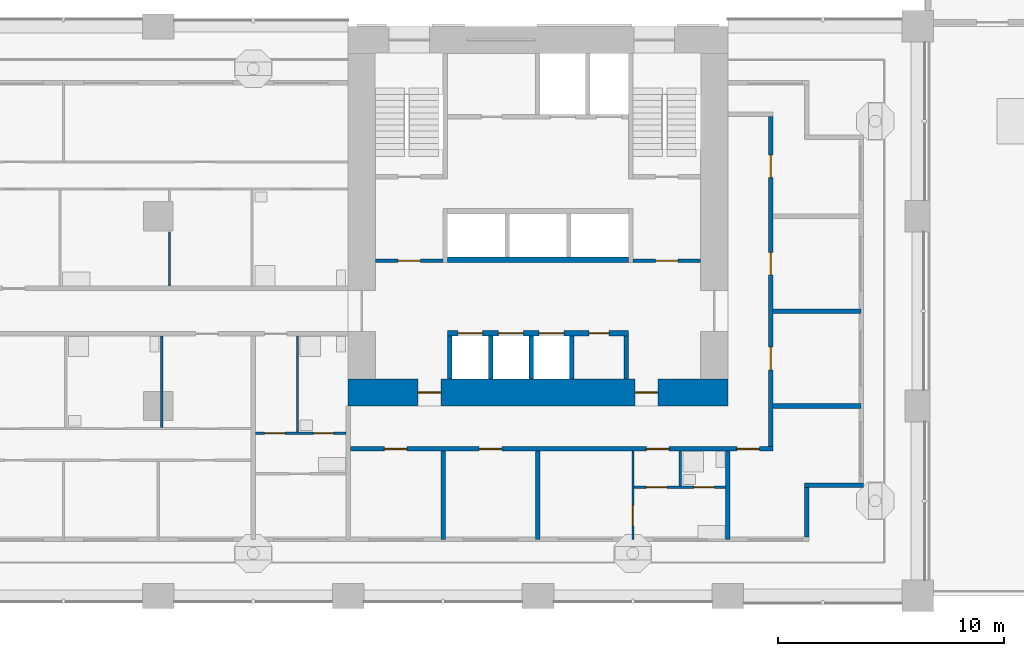
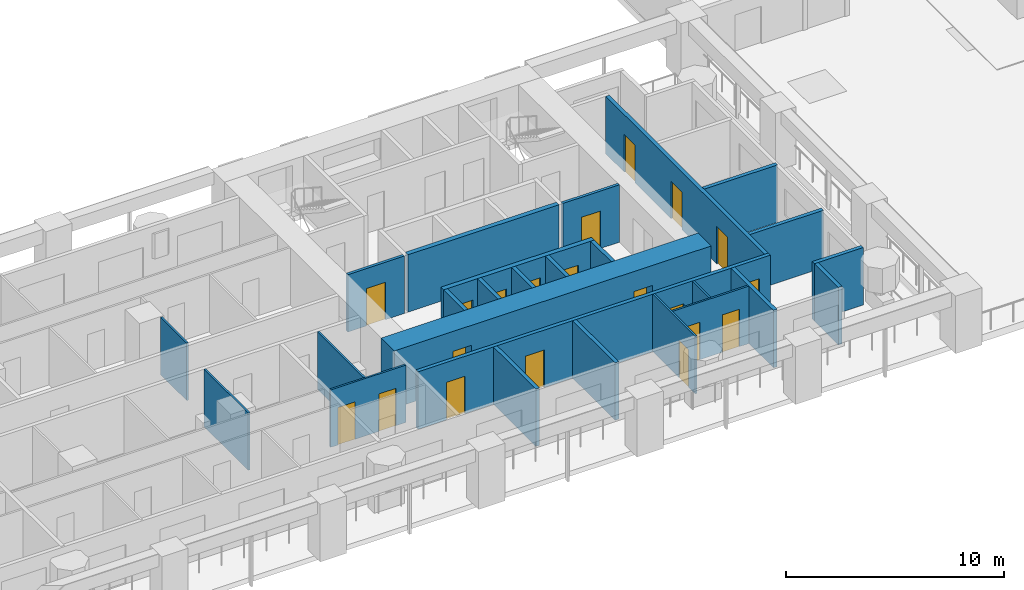
# One storey, part 6 of 23: 26 walls, 20 doors, 20 openings.
"""IFC4 building model written with IfcOpenShell, lengths in metres."""

from ifc_helpers import new_model, si_unit, direction, frame, frame_2d, origin, place, context, subcontext, project, spatial, rectangle, extrude, material, layer, layer_set, type_object, element, fill, save


model = new_model("IFC4")

# Units and contexts
model_context = context("Model", 3, precision=1e-05, world=origin(), true_north=direction((0.0, 1.0)))
body_context = subcontext(model_context, "Body", "Model", "MODEL_VIEW")
ifc_project = project(units=[si_unit("LENGTHUNIT", "METRE"), si_unit("AREAUNIT", "SQUARE_METRE"), si_unit("VOLUMEUNIT", "CUBIC_METRE"), si_unit("PLANEANGLEUNIT", "RADIAN"), si_unit("MASSUNIT", "GRAM", prefix="KILO")], contexts=[model_context])

# Site, building, storey
site_placement = place(None, origin())
site = spatial("IfcSite", under=ifc_project, at=site_placement, CompositionType="ELEMENT")
building_placement = place(site_placement, origin())
building = spatial("IfcBuilding", under=site, at=building_placement, Name="Vermilion Gate Residences", CompositionType="ELEMENT")
storey_placement = place(building_placement, frame((0.0, 0.0, 25.199951171875)))
storey = spatial("IfcBuildingStorey", under=building, at=storey_placement, Name="L04", CompositionType="ELEMENT", Elevation=25.199951171875)

# Wall, opening, door
ifc_material_1 = material(Name="Masonry blockwork", Category="masonry")
ifc_layer_1 = layer(ifc_material_1, 0.14990234375)
ifc_layer_set_1 = layer_set([ifc_layer_1], Name="BLOCKWORK PARTITION 150 EI 120")
wall_type_1 = type_object("IfcWallType", Name="BLOCKWORK PARTITION 150 EI 120", PredefinedType="PARTITIONING", material=ifc_layer_set_1)
wall_1_placement = place(storey_placement, frame((43.199951171875, 14.824951171875, 0.0), z_axis=(0.0, 0.0, 1.0), x_axis=(1.0, 0.0, 0.0)))
wall_1 = element("IfcWall", 1, at=wall_1_placement, inside=storey, type_object=wall_type_1, Name="Core room partition A04-VW-S", PredefinedType="PARTITIONING", context=body_context, shape_type="SweptSolid", body=[
    extrude(rectangle(XDim=3.0, YDim=0.14990234375, at=frame_2d((1.5, 0.0))), origin(), (0.0, 0.0, 1.0), 3.219970703125),
])
opening_1_placement = place(wall_1_placement, frame((1.0, 0.0, 0.0)))
opening_1 = element("IfcOpeningElement", 2, at=opening_1_placement, cuts=wall_1, Name="Opening DK04012", PredefinedType="OPENING", context=body_context, shape_type="SweptSolid", body=[
    extrude(rectangle(XDim=1.0, YDim=2.10009765625, at=frame_2d((0.5, 1.050048828125))), frame((0.0, 0.0849609375, 0.0), z_axis=(0.0, -1.0, 0.0), x_axis=(1.0, 0.0, 0.0)), (0.0, 0.0, 1.0), 0.169921875),
])
ifc_material_2 = material(Name="Steel", Category="steel")
door_type_1 = type_object("IfcDoorType", Name="FIRE DOOR FD60 1000 X 2100", OperationType="SINGLE_SWING_LEFT", PredefinedType="DOOR", material=ifc_material_2)
door_1_placement = place(opening_1_placement, frame((1.0, 0.0, 0.0), z_axis=(0.0, 0.0, 1.0), x_axis=(-1.0, 0.0, 0.0)))
door_1 = element("IfcDoor", 3, at=door_1_placement, inside=storey, type_object=door_type_1, Name="Stair vestibule door A04", OperationType="SINGLE_SWING_RIGHT", OverallHeight=2.10009765625, OverallWidth=1.0, PredefinedType="DOOR", context=body_context, shape_type="SweptSolid", body=[
    extrude(rectangle(XDim=1.0, YDim=2.10009765625, at=frame_2d((0.5, 1.050048828125))), frame((0.0, 0.02490234375, 0.0), z_axis=(0.0, -1.0, 0.0), x_axis=(1.0, 0.0, 0.0)), (0.0, 0.0, 1.0), 0.050048828125),
])
fill(opening_1, door_1)

wall_2_placement = place(storey_placement, frame((54.60009765625, 14.824951171875, 0.0), z_axis=(0.0, 0.0, 1.0), x_axis=(1.0, 0.0, 0.0)))
wall_2 = element("IfcWall", 4, at=wall_2_placement, inside=storey, type_object=wall_type_1, Name="Core room partition A04-VE-S", PredefinedType="PARTITIONING", context=body_context, shape_type="SweptSolid", body=[
    extrude(rectangle(XDim=3.0, YDim=0.14990234375, at=frame_2d((1.5, 0.0))), origin(), (0.0, 0.0, 1.0), 3.219970703125),
])
opening_2_placement = place(wall_2_placement, frame((1.0, 0.0, 0.0)))
opening_2 = element("IfcOpeningElement", 5, at=opening_2_placement, cuts=wall_2, Name="Opening DK04014", PredefinedType="OPENING", context=body_context, shape_type="SweptSolid", body=[
    extrude(rectangle(XDim=1.0, YDim=2.10009765625, at=frame_2d((0.5, 1.050048828125))), frame((0.0, 0.0849609375, 0.0), z_axis=(0.0, -1.0, 0.0), x_axis=(1.0, 0.0, 0.0)), (0.0, 0.0, 1.0), 0.169921875),
])
door_2_placement = place(opening_2_placement, frame((1.0, 0.0, 0.0), z_axis=(0.0, 0.0, 1.0), x_axis=(-1.0, 0.0, 0.0)))
door_2 = element("IfcDoor", 6, at=door_2_placement, inside=storey, type_object=door_type_1, Name="Stair vestibule door A04", OperationType="SINGLE_SWING_LEFT", OverallHeight=2.10009765625, OverallWidth=1.0, PredefinedType="DOOR", context=body_context, shape_type="SweptSolid", body=[
    extrude(rectangle(XDim=1.0, YDim=2.10009765625, at=frame_2d((0.5, 1.050048828125))), frame((0.0, 0.02490234375, 0.0), z_axis=(0.0, -1.0, 0.0), x_axis=(1.0, 0.0, 0.0)), (0.0, 0.0, 1.0), 0.050048828125),
])
fill(opening_2, door_2)

# Walls
ifc_material_3 = material(Name="Insulated steel stud wall with terracotta rainscreen", Category="masonry")
ifc_layer_2 = layer(ifc_material_3, 0.199951171875)
ifc_layer_set_2 = layer_set([ifc_layer_2], Name="EXTERNAL WALL 200 TERRACOTTA RAINSCREEN")
wall_type_2 = type_object("IfcWallType", Name="EXTERNAL WALL 200 TERRACOTTA RAINSCREEN", PredefinedType="SOLIDWALL", material=ifc_layer_set_2)
wall_3_placement = place(storey_placement, frame((62.300048828125, 2.60009765625, 0.0), z_axis=(0.0, 0.0, 1.0), x_axis=(0.0, 1.0, 0.0)))
element("IfcWall", 7, at=wall_3_placement, inside=storey, type_object=wall_type_2, Name="External wall", PredefinedType="SOLIDWALL", context=body_context, shape_type="SweptSolid", body=[
    extrude(rectangle(XDim=2.199951171875, YDim=0.199951171875, at=frame_2d((1.10009765625, 0.0))), origin(), (0.0, 0.0, 1.0), 3.219970703125),
])
wall_4_placement = place(storey_placement, frame((62.199951171875, 4.89990234375, 0.0), z_axis=(0.0, 0.0, 1.0), x_axis=(1.0, 0.0, 0.0)))
element("IfcWall", 8, at=wall_4_placement, inside=storey, type_object=wall_type_2, Name="External wall", PredefinedType="SOLIDWALL", context=body_context, shape_type="SweptSolid", body=[
    extrude(rectangle(XDim=2.60009765625, YDim=0.199951171875, at=frame_2d((1.300048828125, 0.0))), origin(), (0.0, 0.0, 1.0), 3.219970703125),
])

# Wall, openings, doors
ifc_material_4 = material(Name="Plasterboard on steel studs", Category="steel")
ifc_layer_3 = layer(ifc_material_4, 0.10009765625)
ifc_layer_set_3 = layer_set([ifc_layer_3], Name="PARTITION 100")
wall_type_3 = type_object("IfcWallType", Name="PARTITION 100", PredefinedType="PARTITIONING", material=ifc_layer_set_3)
wall_5_placement = place(storey_placement, frame((54.64990234375, 4.800048828125, 0.0), z_axis=(0.0, 0.0, 1.0), x_axis=(1.0, 0.0, 0.0)))
wall_5 = element("IfcWall", 9, at=wall_5_placement, inside=storey, type_object=wall_type_3, Name="Partition", PredefinedType="PARTITIONING", context=body_context, shape_type="SweptSolid", body=[
    extrude(rectangle(XDim=4.050048828125, YDim=0.10009765625, at=frame_2d((2.02490234375, 0.0))), origin(), (0.0, 0.0, 1.0), 3.219970703125),
])
opening_3_placement = place(wall_5_placement, frame((0.550048828125, 0.0, 0.0)))
opening_3 = element("IfcOpeningElement", 10, at=opening_3_placement, cuts=wall_5, Name="Opening DA04001", PredefinedType="OPENING", context=body_context, shape_type="SweptSolid", body=[
    extrude(rectangle(XDim=0.89990234375, YDim=2.10009765625, at=frame_2d((0.449951171875, 1.050048828125))), frame((0.0, 0.06005859375, 0.0), z_axis=(0.0, -1.0, 0.0), x_axis=(1.0, 0.0, 0.0)), (0.0, 0.0, 1.0), 0.1201171875),
])
opening_4_placement = place(wall_5_placement, frame((2.64990234375, 0.0, 0.0)))
opening_4 = element("IfcOpeningElement", 11, at=opening_4_placement, cuts=wall_5, Name="Opening DA04002", PredefinedType="OPENING", context=body_context, shape_type="SweptSolid", body=[
    extrude(rectangle(XDim=0.89990234375, YDim=2.10009765625, at=frame_2d((0.449951171875, 1.050048828125))), frame((0.0, 0.06005859375, 0.0), z_axis=(0.0, -1.0, 0.0), x_axis=(1.0, 0.0, 0.0)), (0.0, 0.0, 1.0), 0.1201171875),
])
ifc_material_5 = material(Name="Timber", Category="wood")
door_type_2 = type_object("IfcDoorType", Name="INTERIOR DOOR 900 X 2100", OperationType="SINGLE_SWING_LEFT", PredefinedType="DOOR", material=ifc_material_5)
door_3_placement = place(opening_3_placement, frame((0.89990234375, 0.0, 0.0), z_axis=(0.0, 0.0, 1.0), x_axis=(-1.0, 0.0, 0.0)))
door_3 = element("IfcDoor", 12, at=door_3_placement, inside=storey, type_object=door_type_2, Name="Interior door", OperationType="SINGLE_SWING_RIGHT", OverallHeight=2.10009765625, OverallWidth=0.89990234375, PredefinedType="DOOR", context=body_context, shape_type="SweptSolid", body=[
    extrude(rectangle(XDim=0.89990234375, YDim=2.10009765625, at=frame_2d((0.449951171875, 1.050048828125))), frame((0.0, 0.02490234375, 0.0), z_axis=(0.0, -1.0, 0.0), x_axis=(1.0, 0.0, 0.0)), (0.0, 0.0, 1.0), 0.050048828125),
])
fill(opening_3, door_3)
door_4_placement = place(opening_4_placement, origin())
door_4 = element("IfcDoor", 13, at=door_4_placement, inside=storey, type_object=door_type_2, Name="Interior door", OperationType="SINGLE_SWING_RIGHT", OverallHeight=2.10009765625, OverallWidth=0.89990234375, PredefinedType="DOOR", context=body_context, shape_type="SweptSolid", body=[
    extrude(rectangle(XDim=0.89990234375, YDim=2.10009765625, at=frame_2d((0.449951171875, 1.050048828125))), frame((0.0, 0.02490234375, 0.0), z_axis=(0.0, -1.0, 0.0), x_axis=(1.0, 0.0, 0.0)), (0.0, 0.0, 1.0), 0.050048828125),
])
fill(opening_4, door_4)

wall_6_placement = place(storey_placement, frame((37.89990234375, 7.199951171875, 0.0), z_axis=(0.0, 0.0, 1.0), x_axis=(1.0, 0.0, 0.0)))
wall_6 = element("IfcWall", 14, at=wall_6_placement, inside=storey, type_object=wall_type_3, Name="Partition", PredefinedType="PARTITIONING", context=body_context, shape_type="SweptSolid", body=[
    extrude(rectangle(XDim=4.0, YDim=0.10009765625, at=frame_2d((2.0, 0.0))), origin(), (0.0, 0.0, 1.0), 3.219970703125),
])
opening_5_placement = place(wall_6_placement, frame((0.39990234375, 0.0, 0.0)))
opening_5 = element("IfcOpeningElement", 15, at=opening_5_placement, cuts=wall_6, Name="Opening DA04013", PredefinedType="OPENING", context=body_context, shape_type="SweptSolid", body=[
    extrude(rectangle(XDim=0.89990234375, YDim=2.10009765625, at=frame_2d((0.449951171875, 1.050048828125))), frame((0.0, 0.06005859375, 0.0), z_axis=(0.0, -1.0, 0.0), x_axis=(1.0, 0.0, 0.0)), (0.0, 0.0, 1.0), 0.1201171875),
])
opening_6_placement = place(wall_6_placement, frame((2.56005859375, 0.0, 0.0)))
opening_6 = element("IfcOpeningElement", 16, at=opening_6_placement, cuts=wall_6, Name="Opening DA04014", PredefinedType="OPENING", context=body_context, shape_type="SweptSolid", body=[
    extrude(rectangle(XDim=0.89990234375, YDim=2.10009765625, at=frame_2d((0.449951171875, 1.050048828125))), frame((0.0, 0.06005859375, 0.0), z_axis=(0.0, -1.0, 0.0), x_axis=(1.0, 0.0, 0.0)), (0.0, 0.0, 1.0), 0.1201171875),
])
door_5_placement = place(opening_5_placement, frame((0.89990234375, 0.0, 0.0), z_axis=(0.0, 0.0, 1.0), x_axis=(-1.0, 0.0, 0.0)))
door_5 = element("IfcDoor", 17, at=door_5_placement, inside=storey, type_object=door_type_2, Name="Interior door", OperationType="SINGLE_SWING_RIGHT", OverallHeight=2.10009765625, OverallWidth=0.89990234375, PredefinedType="DOOR", context=body_context, shape_type="SweptSolid", body=[
    extrude(rectangle(XDim=0.89990234375, YDim=2.10009765625, at=frame_2d((0.449951171875, 1.050048828125))), frame((0.0, 0.02490234375, 0.0), z_axis=(0.0, -1.0, 0.0), x_axis=(1.0, 0.0, 0.0)), (0.0, 0.0, 1.0), 0.050048828125),
])
fill(opening_5, door_5)
door_6_placement = place(opening_6_placement, frame((0.89990234375, 0.0, 0.0), z_axis=(0.0, 0.0, 1.0), x_axis=(-1.0, 0.0, 0.0)))
door_6 = element("IfcDoor", 18, at=door_6_placement, inside=storey, type_object=door_type_2, Name="Interior door", OperationType="SINGLE_SWING_LEFT", OverallHeight=2.10009765625, OverallWidth=0.89990234375, PredefinedType="DOOR", context=body_context, shape_type="SweptSolid", body=[
    extrude(rectangle(XDim=0.89990234375, YDim=2.10009765625, at=frame_2d((0.449951171875, 1.050048828125))), frame((0.0, 0.02490234375, 0.0), z_axis=(0.0, -1.0, 0.0), x_axis=(1.0, 0.0, 0.0)), (0.0, 0.0, 1.0), 0.050048828125),
])
fill(opening_6, door_6)

# Walls
wall_7_placement = place(storey_placement, frame((33.75, 7.449951171875, 0.0), z_axis=(0.0, 0.0, 1.0), x_axis=(0.0, 1.0, 0.0)))
element("IfcWall", 19, at=wall_7_placement, inside=storey, type_object=wall_type_3, Name="Partition", PredefinedType="PARTITIONING", context=body_context, shape_type="SweptSolid", body=[
    extrude(rectangle(XDim=4.050048828125, YDim=0.10009765625, at=frame_2d((2.02490234375, 0.0))), origin(), (0.0, 0.0, 1.0), 3.219970703125),
])
wall_8_placement = place(storey_placement, frame((34.10009765625, 13.699951171875, 0.0), z_axis=(0.0, 0.0, 1.0), x_axis=(0.0, 1.0, 0.0)))
element("IfcWall", 20, at=wall_8_placement, inside=storey, type_object=wall_type_3, Name="Partition", PredefinedType="PARTITIONING", context=body_context, shape_type="SweptSolid", body=[
    extrude(rectangle(XDim=2.400146484375, YDim=0.10009765625, at=frame_2d((1.2001953125, 0.0))), origin(), (0.0, 0.0, 1.0), 3.219970703125),
])
wall_9_placement = place(storey_placement, frame((39.760009765625, 7.25, 0.0), z_axis=(0.0, 0.0, 1.0), x_axis=(0.0, 1.0, 0.0)))
element("IfcWall", 21, at=wall_9_placement, inside=storey, type_object=wall_type_3, Name="Partition", PredefinedType="PARTITIONING", context=body_context, shape_type="SweptSolid", body=[
    extrude(rectangle(XDim=4.25, YDim=0.10009765625, at=frame_2d((2.125, 0.0))), origin(), (0.0, 0.0, 1.0), 3.219970703125),
])

# Wall, opening, door
wall_10_placement = place(storey_placement, frame((54.60009765625, 2.5, 0.0), z_axis=(0.0, 0.0, 1.0), x_axis=(0.0, 1.0, 0.0)))
wall_10 = element("IfcWall", 22, at=wall_10_placement, inside=storey, type_object=wall_type_3, Name="Partition", PredefinedType="PARTITIONING", context=body_context, shape_type="SweptSolid", body=[
    extrude(rectangle(XDim=3.89990234375, YDim=0.10009765625, at=frame_2d((1.949951171875, 0.0))), origin(), (0.0, 0.0, 1.0), 3.219970703125),
])
opening_7_placement = place(wall_10_placement, frame((0.60009765625, 0.0, 0.0)))
opening_7 = element("IfcOpeningElement", 23, at=opening_7_placement, cuts=wall_10, Name="Opening DA04065", PredefinedType="OPENING", context=body_context, shape_type="SweptSolid", body=[
    extrude(rectangle(XDim=0.89990234375, YDim=2.10009765625, at=frame_2d((0.449951171875, 1.050048828125))), frame((0.0, 0.06005859375, 0.0), z_axis=(0.0, -1.0, 0.0), x_axis=(1.0, 0.0, 0.0)), (0.0, 0.0, 1.0), 0.1201171875),
])
door_7_placement = place(opening_7_placement, frame((0.89990234375, 0.0, 0.0), z_axis=(0.0, 0.0, 1.0), x_axis=(-1.0, 0.0, 0.0)))
door_7 = element("IfcDoor", 24, at=door_7_placement, inside=storey, type_object=door_type_2, Name="Interior door", OperationType="SINGLE_SWING_RIGHT", OverallHeight=2.10009765625, OverallWidth=0.89990234375, PredefinedType="DOOR", context=body_context, shape_type="SweptSolid", body=[
    extrude(rectangle(XDim=0.89990234375, YDim=2.10009765625, at=frame_2d((0.449951171875, 1.050048828125))), frame((0.0, 0.02490234375, 0.0), z_axis=(0.0, -1.0, 0.0), x_axis=(1.0, 0.0, 0.0)), (0.0, 0.0, 1.0), 0.050048828125),
])
fill(opening_7, door_7)

# Wall
wall_11_placement = place(storey_placement, frame((56.699951171875, 4.85009765625, 0.0), z_axis=(0.0, 0.0, 1.0), x_axis=(0.0, 1.0, 0.0)))
element("IfcWall", 25, at=wall_11_placement, inside=storey, type_object=wall_type_3, Name="Partition", PredefinedType="PARTITIONING", context=body_context, shape_type="SweptSolid", body=[
    extrude(rectangle(XDim=1.5498046875, YDim=0.10009765625, at=frame_2d((0.77490234375, 0.0))), origin(), (0.0, 0.0, 1.0), 3.219970703125),
])

# Wall, openings, doors
ifc_material_6 = material(Name="Fire-rated plasterboard on steel studs", Category="steel")
ifc_layer_4 = layer(ifc_material_6, 0.199951171875)
ifc_layer_set_4 = layer_set([ifc_layer_4], Name="PARTY WALL 200 EI 120")
wall_type_4 = type_object("IfcWallType", Name="PARTY WALL 200 EI 120", PredefinedType="PARTITIONING", material=ifc_layer_set_4)
wall_12_placement = place(storey_placement, frame((42.10009765625, 6.5, 0.0), z_axis=(0.0, 0.0, 1.0), x_axis=(1.0, 0.0, 0.0)))
wall_12 = element("IfcWall", 26, at=wall_12_placement, inside=storey, type_object=wall_type_4, Name="Party and corridor wall", PredefinedType="PARTITIONING", context=body_context, shape_type="SweptSolid", body=[
    extrude(rectangle(XDim=18.699951171875, YDim=0.199951171875, at=frame_2d((9.35009765625, 0.0))), origin(), (0.0, 0.0, 1.0), 3.219970703125),
])
opening_8_placement = place(wall_12_placement, frame((1.5, 0.0, 0.0)))
opening_8 = element("IfcOpeningElement", 27, at=opening_8_placement, cuts=wall_12, Name="Opening DA04009", PredefinedType="OPENING", context=body_context, shape_type="SweptSolid", body=[
    extrude(rectangle(XDim=1.0, YDim=2.10009765625, at=frame_2d((0.5, 1.050048828125))), frame((0.0, 0.10986328125, 0.0), z_axis=(0.0, -1.0, 0.0), x_axis=(1.0, 0.0, 0.0)), (0.0, 0.0, 1.0), 0.219970703125),
])
opening_9_placement = place(wall_12_placement, frame((5.699951171875, 0.0, 0.0)))
opening_9 = element("IfcOpeningElement", 28, at=opening_9_placement, cuts=wall_12, Name="Opening DA04010", PredefinedType="OPENING", context=body_context, shape_type="SweptSolid", body=[
    extrude(rectangle(XDim=1.0, YDim=2.10009765625, at=frame_2d((0.5, 1.050048828125))), frame((0.0, 0.10986328125, 0.0), z_axis=(0.0, -1.0, 0.0), x_axis=(1.0, 0.0, 0.0)), (0.0, 0.0, 1.0), 0.219970703125),
])
opening_10_placement = place(wall_12_placement, frame((13.10009765625, 0.0, 0.0)))
opening_10 = element("IfcOpeningElement", 29, at=opening_10_placement, cuts=wall_12, Name="Opening DA04011", PredefinedType="OPENING", context=body_context, shape_type="SweptSolid", body=[
    extrude(rectangle(XDim=1.0, YDim=2.10009765625, at=frame_2d((0.5, 1.050048828125))), frame((0.0, 0.10986328125, 0.0), z_axis=(0.0, -1.0, 0.0), x_axis=(1.0, 0.0, 0.0)), (0.0, 0.0, 1.0), 0.219970703125),
])
opening_11_placement = place(wall_12_placement, frame((17.10009765625, 0.0, 0.0)))
opening_11 = element("IfcOpeningElement", 30, at=opening_11_placement, cuts=wall_12, Name="Opening DA04012", PredefinedType="OPENING", context=body_context, shape_type="SweptSolid", body=[
    extrude(rectangle(XDim=1.0, YDim=2.10009765625, at=frame_2d((0.5, 1.050048828125))), frame((0.0, 0.10986328125, 0.0), z_axis=(0.0, -1.0, 0.0), x_axis=(1.0, 0.0, 0.0)), (0.0, 0.0, 1.0), 0.219970703125),
])
ifc_material_7 = material(Name="Steel", Category="steel")
door_type_3 = type_object("IfcDoorType", Name="ENTRANCE DOOR 1000 X 2100 FD30", OperationType="SINGLE_SWING_LEFT", PredefinedType="DOOR", material=ifc_material_7)
door_8_placement = place(opening_8_placement, frame((1.0, 0.0, 0.0), z_axis=(0.0, 0.0, 1.0), x_axis=(-1.0, 0.0, 0.0)))
door_8 = element("IfcDoor", 31, at=door_8_placement, inside=storey, type_object=door_type_3, Name="Entrance door", OperationType="SINGLE_SWING_RIGHT", OverallHeight=2.10009765625, OverallWidth=1.0, PredefinedType="DOOR", context=body_context, shape_type="SweptSolid", body=[
    extrude(rectangle(XDim=1.0, YDim=2.10009765625, at=frame_2d((0.5, 1.050048828125))), frame((0.0, 0.02490234375, 0.0), z_axis=(0.0, -1.0, 0.0), x_axis=(1.0, 0.0, 0.0)), (0.0, 0.0, 1.0), 0.050048828125),
])
fill(opening_8, door_8)
door_9_placement = place(opening_9_placement, frame((1.0, 0.0, 0.0), z_axis=(0.0, 0.0, 1.0), x_axis=(-1.0, 0.0, 0.0)))
door_9 = element("IfcDoor", 32, at=door_9_placement, inside=storey, type_object=door_type_3, Name="Entrance door", OperationType="SINGLE_SWING_LEFT", OverallHeight=2.10009765625, OverallWidth=1.0, PredefinedType="DOOR", context=body_context, shape_type="SweptSolid", body=[
    extrude(rectangle(XDim=1.0, YDim=2.10009765625, at=frame_2d((0.5, 1.050048828125))), frame((0.0, 0.02490234375, 0.0), z_axis=(0.0, -1.0, 0.0), x_axis=(1.0, 0.0, 0.0)), (0.0, 0.0, 1.0), 0.050048828125),
])
fill(opening_9, door_9)
door_10_placement = place(opening_10_placement, frame((1.0, 0.0, 0.0), z_axis=(0.0, 0.0, 1.0), x_axis=(-1.0, 0.0, 0.0)))
door_10 = element("IfcDoor", 33, at=door_10_placement, inside=storey, type_object=door_type_3, Name="Entrance door", OperationType="SINGLE_SWING_LEFT", OverallHeight=2.10009765625, OverallWidth=1.0, PredefinedType="DOOR", context=body_context, shape_type="SweptSolid", body=[
    extrude(rectangle(XDim=1.0, YDim=2.10009765625, at=frame_2d((0.5, 1.050048828125))), frame((0.0, 0.02490234375, 0.0), z_axis=(0.0, -1.0, 0.0), x_axis=(1.0, 0.0, 0.0)), (0.0, 0.0, 1.0), 0.050048828125),
])
fill(opening_10, door_10)
door_11_placement = place(opening_11_placement, frame((1.0, 0.0, 0.0), z_axis=(0.0, 0.0, 1.0), x_axis=(-1.0, 0.0, 0.0)))
door_11 = element("IfcDoor", 34, at=door_11_placement, inside=storey, type_object=door_type_3, Name="Entrance door", OperationType="SINGLE_SWING_RIGHT", OverallHeight=2.10009765625, OverallWidth=1.0, PredefinedType="DOOR", context=body_context, shape_type="SweptSolid", body=[
    extrude(rectangle(XDim=1.0, YDim=2.10009765625, at=frame_2d((0.5, 1.050048828125))), frame((0.0, 0.02490234375, 0.0), z_axis=(0.0, -1.0, 0.0), x_axis=(1.0, 0.0, 0.0)), (0.0, 0.0, 1.0), 0.050048828125),
])
fill(opening_11, door_11)

# Walls
for number, where, z_axis, x_axis, name in (
    (35, (60.800048828125, 8.39990234375, 0.0), (0.0, 0.0, 1.0), (1.0, 0.0, 0.0), "Party and corridor wall"),
    (36, (60.800048828125, 12.60009765625, 0.0), (0.0, 0.0, 1.0), (1.0, 0.0, 0.0), "Party and corridor wall"),
    (37, (46.199951171875, 2.5, 0.0), (0.0, 0.0, 1.0), (0.0, 1.0, 0.0), "Party and corridor wall"),
    (38, (50.39990234375, 2.5, 0.0), (0.0, 0.0, 1.0), (0.0, 1.0, 0.0), "Party and corridor wall"),
    (39, (58.800048828125, 2.5, 0.0), (0.0, 0.0, 1.0), (0.0, 1.0, 0.0), "Party and corridor wall"),
):
    element("IfcWall", number, at=place(storey_placement, frame(where, z_axis=z_axis, x_axis=x_axis)), inside=storey, type_object=wall_type_4, Name=name, PredefinedType="PARTITIONING", context=body_context, shape_type="SweptSolid", body=[
        extrude(rectangle(XDim=3.89990234375, YDim=0.199951171875, at=frame_2d((1.949951171875, 0.0))), origin(), (0.0, 0.0, 1.0), 3.219970703125),
    ])

# Wall, openings, doors
wall_13_placement = place(storey_placement, frame((60.699951171875, 6.60009765625, 0.0), z_axis=(0.0, 0.0, 1.0), x_axis=(0.0, 1.0, 0.0)))
wall_13 = element("IfcWall", 40, at=wall_13_placement, inside=storey, type_object=wall_type_4, Name="Party and corridor wall", PredefinedType="PARTITIONING", context=body_context, shape_type="SweptSolid", body=[
    extrude(rectangle(XDim=14.599853515625, YDim=0.199951171875, at=frame_2d((7.2998046875, 0.0))), origin(), (0.0, 0.0, 1.0), 3.219970703125),
])
opening_12_placement = place(wall_13_placement, frame((3.39990234375, 0.0, 0.0)))
opening_12 = element("IfcOpeningElement", 41, at=opening_12_placement, cuts=wall_13, Name="Opening DA04066", PredefinedType="OPENING", context=body_context, shape_type="SweptSolid", body=[
    extrude(rectangle(XDim=1.0, YDim=2.10009765625, at=frame_2d((0.5, 1.050048828125))), frame((0.0, 0.10986328125, 0.0), z_axis=(0.0, -1.0, 0.0), x_axis=(1.0, 0.0, 0.0)), (0.0, 0.0, 1.0), 0.219970703125),
])
opening_13_placement = place(wall_13_placement, frame((7.60009765625, 0.0, 0.0)))
opening_13 = element("IfcOpeningElement", 42, at=opening_13_placement, cuts=wall_13, Name="Opening DA04067", PredefinedType="OPENING", context=body_context, shape_type="SweptSolid", body=[
    extrude(rectangle(XDim=1.0, YDim=2.10009765625, at=frame_2d((0.5, 1.050048828125))), frame((0.0, 0.10986328125, 0.0), z_axis=(0.0, -1.0, 0.0), x_axis=(1.0, 0.0, 0.0)), (0.0, 0.0, 1.0), 0.219970703125),
])
opening_14_placement = place(wall_13_placement, frame((11.89990234375, 0.0, 0.0)))
opening_14 = element("IfcOpeningElement", 43, at=opening_14_placement, cuts=wall_13, Name="Opening DA04068", PredefinedType="OPENING", context=body_context, shape_type="SweptSolid", body=[
    extrude(rectangle(XDim=1.0, YDim=2.10009765625, at=frame_2d((0.5, 1.050048828125))), frame((0.0, 0.10986328125, 0.0), z_axis=(0.0, -1.0, 0.0), x_axis=(1.0, 0.0, 0.0)), (0.0, 0.0, 1.0), 0.219970703125),
])
door_12_placement = place(opening_12_placement, frame((1.0, 0.0, 0.0), z_axis=(0.0, 0.0, 1.0), x_axis=(-1.0, 0.0, 0.0)))
door_12 = element("IfcDoor", 44, at=door_12_placement, inside=storey, type_object=door_type_3, Name="Entrance door", OperationType="SINGLE_SWING_RIGHT", OverallHeight=2.10009765625, OverallWidth=1.0, PredefinedType="DOOR", context=body_context, shape_type="SweptSolid", body=[
    extrude(rectangle(XDim=1.0, YDim=2.10009765625, at=frame_2d((0.5, 1.050048828125))), frame((0.0, 0.02490234375, 0.0), z_axis=(0.0, -1.0, 0.0), x_axis=(1.0, 0.0, 0.0)), (0.0, 0.0, 1.0), 0.050048828125),
])
fill(opening_12, door_12)
door_13_placement = place(opening_13_placement, frame((1.0, 0.0, 0.0), z_axis=(0.0, 0.0, 1.0), x_axis=(-1.0, 0.0, 0.0)))
door_13 = element("IfcDoor", 45, at=door_13_placement, inside=storey, type_object=door_type_3, Name="Entrance door", OperationType="SINGLE_SWING_RIGHT", OverallHeight=2.10009765625, OverallWidth=1.0, PredefinedType="DOOR", context=body_context, shape_type="SweptSolid", body=[
    extrude(rectangle(XDim=1.0, YDim=2.10009765625, at=frame_2d((0.5, 1.050048828125))), frame((0.0, 0.02490234375, 0.0), z_axis=(0.0, -1.0, 0.0), x_axis=(1.0, 0.0, 0.0)), (0.0, 0.0, 1.0), 0.050048828125),
])
fill(opening_13, door_13)
door_14_placement = place(opening_14_placement, frame((1.0, 0.0, 0.0), z_axis=(0.0, 0.0, 1.0), x_axis=(-1.0, 0.0, 0.0)))
door_14 = element("IfcDoor", 46, at=door_14_placement, inside=storey, type_object=door_type_3, Name="Entrance door", OperationType="SINGLE_SWING_RIGHT", OverallHeight=2.10009765625, OverallWidth=1.0, PredefinedType="DOOR", context=body_context, shape_type="SweptSolid", body=[
    extrude(rectangle(XDim=1.0, YDim=2.10009765625, at=frame_2d((0.5, 1.050048828125))), frame((0.0, 0.02490234375, 0.0), z_axis=(0.0, -1.0, 0.0), x_axis=(1.0, 0.0, 0.0)), (0.0, 0.0, 1.0), 0.050048828125),
])
fill(opening_14, door_14)

# Walls
ifc_material_8 = material(Name="Concrete C60", Category="concrete")
ifc_layer_5 = layer(ifc_material_8, 0.199951171875)
ifc_layer_set_5 = layer_set([ifc_layer_5], Name="RC CORE INTERNAL WALL 200 C60")
wall_type_5 = type_object("IfcWallType", Name="RC CORE INTERNAL WALL 200 C60", PredefinedType="SHEAR", material=ifc_layer_set_5)
for number, where, z_axis, x_axis, name in (
    (47, (46.5, 9.60009765625, 0.0), (0.0, 0.0, 1.0), (0.0, 1.0, 0.0), "Core internal wall A04-LR-D0"),
    (48, (48.300048828125, 9.60009765625, 0.0), (0.0, 0.0, 1.0), (0.0, 1.0, 0.0), "Core internal wall A04-LR-D1"),
    (49, (50.10009765625, 9.60009765625, 0.0), (0.0, 0.0, 1.0), (0.0, 1.0, 0.0), "Core internal wall A04-LR-D2"),
    (50, (51.89990234375, 9.60009765625, 0.0), (0.0, 0.0, 1.0), (0.0, 1.0, 0.0), "Core internal wall A04-LR-D3"),
    (51, (54.300048828125, 9.60009765625, 0.0), (0.0, 0.0, 1.0), (0.0, 1.0, 0.0), "Core internal wall A04-LR-DE"),
):
    element("IfcWall", number, at=place(storey_placement, frame(where, z_axis=z_axis, x_axis=x_axis)), inside=storey, type_object=wall_type_5, Name=name, PredefinedType="SHEAR", context=body_context, shape_type="SweptSolid", body=[
        extrude(rectangle(XDim=1.89990234375, YDim=0.199951171875, at=frame_2d((0.949951171875, 0.0))), origin(), (0.0, 0.0, 1.0), 3.219970703125),
    ])

# Wall, openings, doors
ifc_material_9 = material(Name="Concrete C80", Category="concrete")
ifc_layer_6 = layer(ifc_material_9, 1.199951171875)
ifc_layer_set_6 = layer_set([ifc_layer_6], Name="RC CORE WALL 1200 C80")
wall_type_6 = type_object("IfcWallType", Name="RC CORE WALL 1200 C80", PredefinedType="SHEAR", material=ifc_layer_set_6)
wall_14_placement = place(storey_placement, frame((42.0, 9.0, 0.0), z_axis=(0.0, 0.0, 1.0), x_axis=(1.0, 0.0, 0.0)))
wall_14 = element("IfcWall", 52, at=wall_14_placement, inside=storey, type_object=wall_type_6, Name="Core wall A04-OUT-B0", PredefinedType="SHEAR", context=body_context, shape_type="SweptSolid", body=[
    extrude(rectangle(XDim=16.800048828125, YDim=1.199951171875, at=frame_2d((8.39990234375, 0.0))), origin(), (0.0, 0.0, 1.0), 3.219970703125),
])
opening_15_placement = place(wall_14_placement, frame((3.10009765625, 0.0, 0.0)))
opening_15 = element("IfcOpeningElement", 53, at=opening_15_placement, cuts=wall_14, Name="Opening DK04001", PredefinedType="OPENING", context=body_context, shape_type="SweptSolid", body=[
    extrude(rectangle(XDim=1.0, YDim=2.10009765625, at=frame_2d((0.5, 1.050048828125))), frame((0.0, 0.60986328125, 0.0), z_axis=(0.0, -1.0, 0.0), x_axis=(1.0, 0.0, 0.0)), (0.0, 0.0, 1.0), 1.219970703125),
])
opening_16_placement = place(wall_14_placement, frame((12.699951171875, 0.0, 0.0)))
opening_16 = element("IfcOpeningElement", 54, at=opening_16_placement, cuts=wall_14, Name="Opening DK04002", PredefinedType="OPENING", context=body_context, shape_type="SweptSolid", body=[
    extrude(rectangle(XDim=1.0, YDim=2.10009765625, at=frame_2d((0.5, 1.050048828125))), frame((0.0, 0.60986328125, 0.0), z_axis=(0.0, -1.0, 0.0), x_axis=(1.0, 0.0, 0.0)), (0.0, 0.0, 1.0), 1.219970703125),
])
door_15_placement = place(opening_15_placement, origin())
door_15 = element("IfcDoor", 55, at=door_15_placement, inside=storey, type_object=door_type_1, Name="Core lobby side door A04", OperationType="SINGLE_SWING_RIGHT", OverallHeight=2.10009765625, OverallWidth=1.0, PredefinedType="DOOR", context=body_context, shape_type="SweptSolid", body=[
    extrude(rectangle(XDim=1.0, YDim=2.10009765625, at=frame_2d((0.5, 1.050048828125))), frame((0.0, 0.02490234375, 0.0), z_axis=(0.0, -1.0, 0.0), x_axis=(1.0, 0.0, 0.0)), (0.0, 0.0, 1.0), 0.050048828125),
])
fill(opening_15, door_15)
door_16_placement = place(opening_16_placement, origin())
door_16 = element("IfcDoor", 56, at=door_16_placement, inside=storey, type_object=door_type_1, Name="Core lobby side door A04", OperationType="SINGLE_SWING_LEFT", OverallHeight=2.10009765625, OverallWidth=1.0, PredefinedType="DOOR", context=body_context, shape_type="SweptSolid", body=[
    extrude(rectangle(XDim=1.0, YDim=2.10009765625, at=frame_2d((0.5, 1.050048828125))), frame((0.0, 0.02490234375, 0.0), z_axis=(0.0, -1.0, 0.0), x_axis=(1.0, 0.0, 0.0)), (0.0, 0.0, 1.0), 0.050048828125),
])
fill(opening_16, door_16)

ifc_material_10 = material(Name="Concrete C60", Category="concrete")
ifc_layer_7 = layer(ifc_material_10, 0.25)
ifc_layer_set_7 = layer_set([ifc_layer_7], Name="RC LIFT SHAFT WALL 250 C60")
wall_type_7 = type_object("IfcWallType", Name="RC LIFT SHAFT WALL 250 C60", PredefinedType="SHEAR", material=ifc_layer_set_7)
wall_15_placement = place(storey_placement, frame((46.39990234375, 11.625, 0.0), z_axis=(0.0, 0.0, 1.0), x_axis=(1.0, 0.0, 0.0)))
wall_15 = element("IfcWall", 57, at=wall_15_placement, inside=storey, type_object=wall_type_7, Name="Lift shaft wall A04-LR-F", PredefinedType="SHEAR", context=body_context, shape_type="SweptSolid", body=[
    extrude(rectangle(XDim=8.0, YDim=0.25, at=frame_2d((4.0, 0.0))), origin(), (0.0, 0.0, 1.0), 3.219970703125),
])
opening_17_placement = place(wall_15_placement, frame((0.449951171875, 0.0, 0.0)))
opening_17 = element("IfcOpeningElement", 58, at=opening_17_placement, cuts=wall_15, Name="Opening LD", PredefinedType="OPENING", context=body_context, shape_type="SweptSolid", body=[
    extrude(rectangle(XDim=1.10009765625, YDim=2.10009765625, at=frame_2d((0.550048828125, 1.050048828125))), frame((0.0, 0.135009765625, 0.0), z_axis=(0.0, -1.0, 0.0), x_axis=(1.0, 0.0, 0.0)), (0.0, 0.0, 1.0), 0.27001953125),
])
opening_18_placement = place(wall_15_placement, frame((2.25, 0.0, 0.0)))
opening_18 = element("IfcOpeningElement", 59, at=opening_18_placement, cuts=wall_15, Name="Opening LD", PredefinedType="OPENING", context=body_context, shape_type="SweptSolid", body=[
    extrude(rectangle(XDim=1.10009765625, YDim=2.10009765625, at=frame_2d((0.550048828125, 1.050048828125))), frame((0.0, 0.135009765625, 0.0), z_axis=(0.0, -1.0, 0.0), x_axis=(1.0, 0.0, 0.0)), (0.0, 0.0, 1.0), 0.27001953125),
])
opening_19_placement = place(wall_15_placement, frame((4.050048828125, 0.0, 0.0)))
opening_19 = element("IfcOpeningElement", 60, at=opening_19_placement, cuts=wall_15, Name="Opening LD", PredefinedType="OPENING", context=body_context, shape_type="SweptSolid", body=[
    extrude(rectangle(XDim=1.10009765625, YDim=2.10009765625, at=frame_2d((0.550048828125, 1.050048828125))), frame((0.0, 0.135009765625, 0.0), z_axis=(0.0, -1.0, 0.0), x_axis=(1.0, 0.0, 0.0)), (0.0, 0.0, 1.0), 0.27001953125),
])
opening_20_placement = place(wall_15_placement, frame((6.25, 0.0, 0.0)))
opening_20 = element("IfcOpeningElement", 61, at=opening_20_placement, cuts=wall_15, Name="Opening DK04008", PredefinedType="OPENING", context=body_context, shape_type="SweptSolid", body=[
    extrude(rectangle(XDim=0.89990234375, YDim=2.10009765625, at=frame_2d((0.449951171875, 1.050048828125))), frame((0.0, 0.135009765625, 0.0), z_axis=(0.0, -1.0, 0.0), x_axis=(1.0, 0.0, 0.0)), (0.0, 0.0, 1.0), 0.27001953125),
])
ifc_material_11 = material(Name="Stainless steel", Category="steel")
door_type_4 = type_object("IfcDoorType", Name="LIFT LANDING DOOR E60 1100 X 2100", OperationType="DOUBLE_DOOR_SLIDING", PredefinedType="DOOR", material=ifc_material_11)
door_17_placement = place(opening_17_placement, origin())
door_17 = element("IfcDoor", 62, at=door_17_placement, inside=storey, type_object=door_type_4, Name="Lift landing door LRA1", OperationType="DOUBLE_DOOR_SLIDING", OverallHeight=2.10009765625, OverallWidth=1.10009765625, PredefinedType="DOOR", context=body_context, shape_type="SweptSolid", body=[
    extrude(rectangle(XDim=1.10009765625, YDim=2.10009765625, at=frame_2d((0.550048828125, 1.050048828125))), frame((0.0, 0.02490234375, 0.0), z_axis=(0.0, -1.0, 0.0), x_axis=(1.0, 0.0, 0.0)), (0.0, 0.0, 1.0), 0.050048828125),
])
fill(opening_17, door_17)
door_18_placement = place(opening_18_placement, origin())
door_18 = element("IfcDoor", 63, at=door_18_placement, inside=storey, type_object=door_type_4, Name="Lift landing door LRA2", OperationType="DOUBLE_DOOR_SLIDING", OverallHeight=2.10009765625, OverallWidth=1.10009765625, PredefinedType="DOOR", context=body_context, shape_type="SweptSolid", body=[
    extrude(rectangle(XDim=1.10009765625, YDim=2.10009765625, at=frame_2d((0.550048828125, 1.050048828125))), frame((0.0, 0.02490234375, 0.0), z_axis=(0.0, -1.0, 0.0), x_axis=(1.0, 0.0, 0.0)), (0.0, 0.0, 1.0), 0.050048828125),
])
fill(opening_18, door_18)
door_19_placement = place(opening_19_placement, origin())
door_19 = element("IfcDoor", 64, at=door_19_placement, inside=storey, type_object=door_type_4, Name="Lift landing door LRA3", OperationType="DOUBLE_DOOR_SLIDING", OverallHeight=2.10009765625, OverallWidth=1.10009765625, PredefinedType="DOOR", context=body_context, shape_type="SweptSolid", body=[
    extrude(rectangle(XDim=1.10009765625, YDim=2.10009765625, at=frame_2d((0.550048828125, 1.050048828125))), frame((0.0, 0.02490234375, 0.0), z_axis=(0.0, -1.0, 0.0), x_axis=(1.0, 0.0, 0.0)), (0.0, 0.0, 1.0), 0.050048828125),
])
fill(opening_19, door_19)
ifc_material_12 = material(Name="Steel", Category="steel")
door_type_5 = type_object("IfcDoorType", Name="SERVICE ROOM DOOR FD60 900 X 2100", OperationType="SINGLE_SWING_LEFT", PredefinedType="DOOR", material=ifc_material_12)
door_20_placement = place(opening_20_placement, frame((0.89990234375, 0.0, 0.0), z_axis=(0.0, 0.0, 1.0), x_axis=(-1.0, 0.0, 0.0)))
door_20 = element("IfcDoor", 65, at=door_20_placement, inside=storey, type_object=door_type_5, Name="Cleaner's store A04", OperationType="SINGLE_SWING_RIGHT", OverallHeight=2.10009765625, OverallWidth=0.89990234375, PredefinedType="DOOR", context=body_context, shape_type="SweptSolid", body=[
    extrude(rectangle(XDim=0.89990234375, YDim=2.10009765625, at=frame_2d((0.449951171875, 1.050048828125))), frame((0.0, 0.02490234375, 0.0), z_axis=(0.0, -1.0, 0.0), x_axis=(1.0, 0.0, 0.0)), (0.0, 0.0, 1.0), 0.050048828125),
])
fill(opening_20, door_20)

# Wall
wall_16_placement = place(storey_placement, frame((46.39990234375, 14.875, 0.0), z_axis=(0.0, 0.0, 1.0), x_axis=(1.0, 0.0, 0.0)))
element("IfcWall", 66, at=wall_16_placement, inside=storey, type_object=wall_type_7, Name="Lift shaft wall A04-HR-F", PredefinedType="SHEAR", context=body_context, shape_type="SweptSolid", body=[
    extrude(rectangle(XDim=8.0, YDim=0.25, at=frame_2d((4.0, 0.0))), origin(), (0.0, 0.0, 1.0), 3.219970703125),
])

save(model, "model.ifc")
